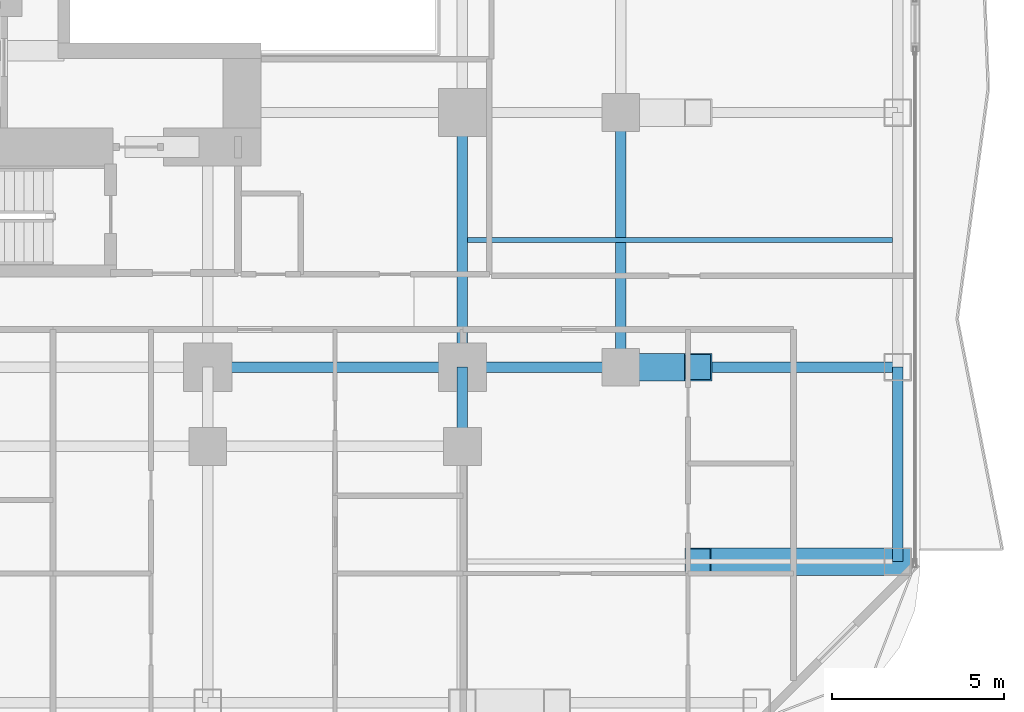
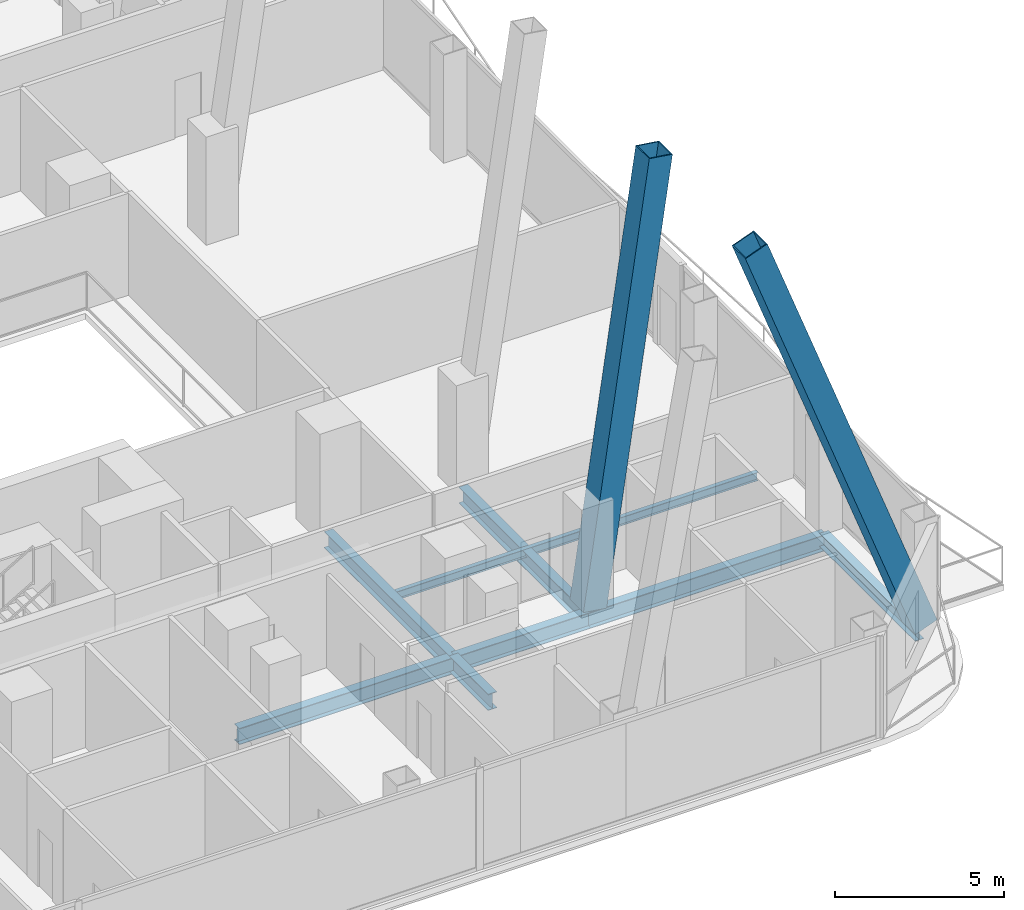
# One storey, part 11 of 33: 8 beams, 2 members.
"""IFC4 building model written with IfcOpenShell, lengths in metres."""

from ifc_helpers import new_model, si_unit, direction, frame, origin, origin_2d, place, context, subcontext, project, spatial, hollow_rectangle, i_section, extrude, material, material_profile, profile_set, type_object, element, save


model = new_model("IFC4")

# Units and contexts
model_context = context("Model", 3, precision=1e-05, world=origin(), true_north=direction((0.0, 1.0)))
body_context = subcontext(model_context, "Body", "Model", "MODEL_VIEW")
ifc_project = project(units=[si_unit("LENGTHUNIT", "METRE"), si_unit("AREAUNIT", "SQUARE_METRE"), si_unit("VOLUMEUNIT", "CUBIC_METRE"), si_unit("PLANEANGLEUNIT", "RADIAN"), si_unit("MASSUNIT", "GRAM", prefix="KILO")], contexts=[model_context])

# Site, building, storey
site_placement = place(None, origin())
site = spatial("IfcSite", under=ifc_project, at=site_placement, CompositionType="ELEMENT")
building_placement = place(site_placement, origin())
building = spatial("IfcBuilding", under=site, at=building_placement, Name="Khorvyn Point Tower", CompositionType="ELEMENT")
storey_placement = place(building_placement, frame((0.0, 0.0, 38.39990234375)))
storey = spatial("IfcBuildingStorey", under=building, at=storey_placement, Name="L10", CompositionType="ELEMENT", Elevation=38.39990234375)

# Beams
ifc_material_1 = material(Name="Steel S355", Category="steel")
ifc_material_profile_1 = material_profile(ifc_material_1, i_section(OverallWidth=0.300048828125, OverallDepth=0.587890625, WebThickness=0.011962890625, FlangeThickness=0.02001953125, at=origin_2d()))
ifc_profile_set_1 = profile_set([ifc_material_profile_1], Name="Steel S355 H588x300x12x20")
beam_type_1 = type_object("IfcBeamType", Name="Steel S355 Beam H588x300x12x20", PredefinedType="BEAM", material=ifc_profile_set_1)
beam_1_placement = place(storey_placement, frame((7.39990234375, -14.800048828125, -0.513916015625), z_axis=(1.0, 0.0, 0.0), x_axis=(0.0, 1.0, 0.0)))
element("IfcBeam", 1, at=beam_1_placement, inside=storey, type_object=beam_type_1, Name="Beam", PredefinedType="BEAM", context=body_context, shape_type="SweptSolid", body=[
    extrude(i_section(OverallWidth=0.300048828125, OverallDepth=0.587890625, WebThickness=0.011962890625, FlangeThickness=0.02001953125, at=origin_2d()), origin(), (0.0, 0.0, 1.0), 7.400146484375),
])
beam_2_placement = place(storey_placement, frame((14.800048828125, -14.800048828125, -0.513916015625), z_axis=(1.0, 0.0, 0.0), x_axis=(0.0, 1.0, 0.0)))
element("IfcBeam", 2, at=beam_2_placement, inside=storey, type_object=beam_type_1, Name="Beam", PredefinedType="BEAM", context=body_context, shape_type="SweptSolid", body=[
    extrude(i_section(OverallWidth=0.300048828125, OverallDepth=0.587890625, WebThickness=0.011962890625, FlangeThickness=0.02001953125, at=origin_2d()), origin(), (0.0, 0.0, 1.0), 4.599853515625),
])
beam_3_placement = place(storey_placement, frame((19.39990234375, -14.800048828125, -0.513916015625), z_axis=(1.0, 0.0, 0.0), x_axis=(0.0, 1.0, 0.0)))
element("IfcBeam", 3, at=beam_3_placement, inside=storey, type_object=beam_type_1, Name="Beam", PredefinedType="BEAM", context=body_context, shape_type="SweptSolid", body=[
    extrude(i_section(OverallWidth=0.300048828125, OverallDepth=0.587890625, WebThickness=0.011962890625, FlangeThickness=0.02001953125, at=origin_2d()), origin(), (0.0, 0.0, 1.0), 8.050048828125),
])
beam_4_placement = place(storey_placement, frame((14.800048828125, -17.10009765625, -0.513916015625), z_axis=(0.0, 1.0, 0.0), x_axis=(-1.0, 0.0, 0.0)))
element("IfcBeam", 4, at=beam_4_placement, inside=storey, type_object=beam_type_1, Name="Beam", PredefinedType="BEAM", context=body_context, shape_type="SweptSolid", body=[
    extrude(i_section(OverallWidth=0.300048828125, OverallDepth=0.587890625, WebThickness=0.011962890625, FlangeThickness=0.02001953125, at=origin_2d()), origin(), (0.0, 0.0, 1.0), 2.300048828125),
])
for number, where, z_axis, x_axis, name in (
    (5, (14.800048828125, -14.800048828125, -0.513916015625), (0.0, 1.0, 0.0), (-1.0, 0.0, 0.0), "Beam"),
    (6, (19.39990234375, -14.800048828125, -0.513916015625), (0.0, 1.0, 0.0), (-1.0, 0.0, 0.0), "Beam"),
):
    element("IfcBeam", number, at=place(storey_placement, frame(where, z_axis=z_axis, x_axis=x_axis)), inside=storey, type_object=beam_type_1, Name=name, PredefinedType="BEAM", context=body_context, shape_type="SweptSolid", body=[
        extrude(i_section(OverallWidth=0.300048828125, OverallDepth=0.587890625, WebThickness=0.011962890625, FlangeThickness=0.02001953125, at=origin_2d()), origin(), (0.0, 0.0, 1.0), 7.400146484375),
    ])
ifc_material_profile_2 = material_profile(ifc_material_1, i_section(OverallWidth=0.14990234375, OverallDepth=0.300048828125, WebThickness=0.006591796875, FlangeThickness=0.009033203125, at=origin_2d()))
ifc_profile_set_2 = profile_set([ifc_material_profile_2], Name="Steel S355 H300x150x6.5x9")
beam_type_2 = type_object("IfcBeamType", Name="Steel S355 Joist H300x150x6.5x9", PredefinedType="JOIST", material=ifc_profile_set_2)
beam_5_placement = place(storey_placement, frame((14.949951171875, -11.10009765625, -0.369873046875), z_axis=(1.0, 0.0, 0.0), x_axis=(0.0, 1.0, 0.0)))
element("IfcBeam", 7, at=beam_5_placement, inside=storey, type_object=beam_type_2, Name="Beam", PredefinedType="JOIST", context=body_context, shape_type="SweptSolid", body=[
    extrude(i_section(OverallWidth=0.14990234375, OverallDepth=0.300048828125, WebThickness=0.006591796875, FlangeThickness=0.009033203125, at=origin_2d()), origin(), (0.0, 0.0, 1.0), 12.35009765625),
])
ifc_material_profile_3 = material_profile(ifc_material_1, i_section(OverallWidth=0.300048828125, OverallDepth=0.488037109375, WebThickness=0.010986328125, FlangeThickness=0.01806640625, at=origin_2d()))
ifc_profile_set_3 = profile_set([ifc_material_profile_3], Name="Steel S355 H488x300x11x18")
beam_type_3 = type_object("IfcBeamType", Name="Steel S355 Spandrel H488x300x11x18", PredefinedType="SPANDREL", material=ifc_profile_set_3)
beam_6_placement = place(storey_placement, frame((27.449951171875, -20.449951171875, -0.4638671875), z_axis=(0.0, 1.0, 0.0), x_axis=(-1.0, 0.0, 0.0)))
element("IfcBeam", 8, at=beam_6_placement, inside=storey, type_object=beam_type_3, Name="Beam", PredefinedType="SPANDREL", context=body_context, shape_type="SweptSolid", body=[
    extrude(i_section(OverallWidth=0.300048828125, OverallDepth=0.488037109375, WebThickness=0.010986328125, FlangeThickness=0.01806640625, at=origin_2d()), origin(), (0.0, 0.0, 1.0), 5.64990234375),
])

# Members
ifc_material_2 = material(Name="Steel S450", Category="steel")
ifc_material_profile_4 = material_profile(ifc_material_2, hollow_rectangle(XDim=0.800048828125, YDim=0.800048828125, WallThickness=0.035888671875, at=origin_2d()))
ifc_profile_set_4 = profile_set([ifc_material_profile_4], Name="Steel S450 BOX800x800x36")
member_type = type_object("IfcMemberType", Name="Steel S450 Exoskeleton Structural Post BOX800x800x36", PredefinedType="POST", material=ifc_profile_set_4)
member_1_placement = place(storey_placement, frame((27.449951171875, -20.449951171875, 0.0), z_axis=(-0.348488886408, 0.0, 0.937312912559), x_axis=(0.0, -1.0, 0.0)))
element("IfcMember", 9, at=member_1_placement, inside=storey, type_object=member_type, Name="L10 to L14 Exoskeleton Transfer Post 07", PredefinedType="POST", context=body_context, shape_type="SweptSolid", body=[
    extrude(hollow_rectangle(XDim=0.800048828125, YDim=0.800048828125, WallThickness=0.035888671875, at=origin_2d()), origin(), (0.0, 0.0, 1.0), 16.643310546875),
])
member_2_placement = place(storey_placement, frame((19.39990234375, -14.800048828125, 0.0), z_axis=(0.142752719613, 0.0, 0.989758385184), x_axis=(0.0, 1.0, 0.0)))
element("IfcMember", 10, at=member_2_placement, inside=storey, type_object=member_type, Name="L10 to L14 Exoskeleton Transfer Post 10", PredefinedType="POST", context=body_context, shape_type="SweptSolid", body=[
    extrude(hollow_rectangle(XDim=0.800048828125, YDim=0.800048828125, WallThickness=0.035888671875, at=origin_2d()), origin(), (0.0, 0.0, 1.0), 15.761474609375),
])

save(model, "model.ifc")
